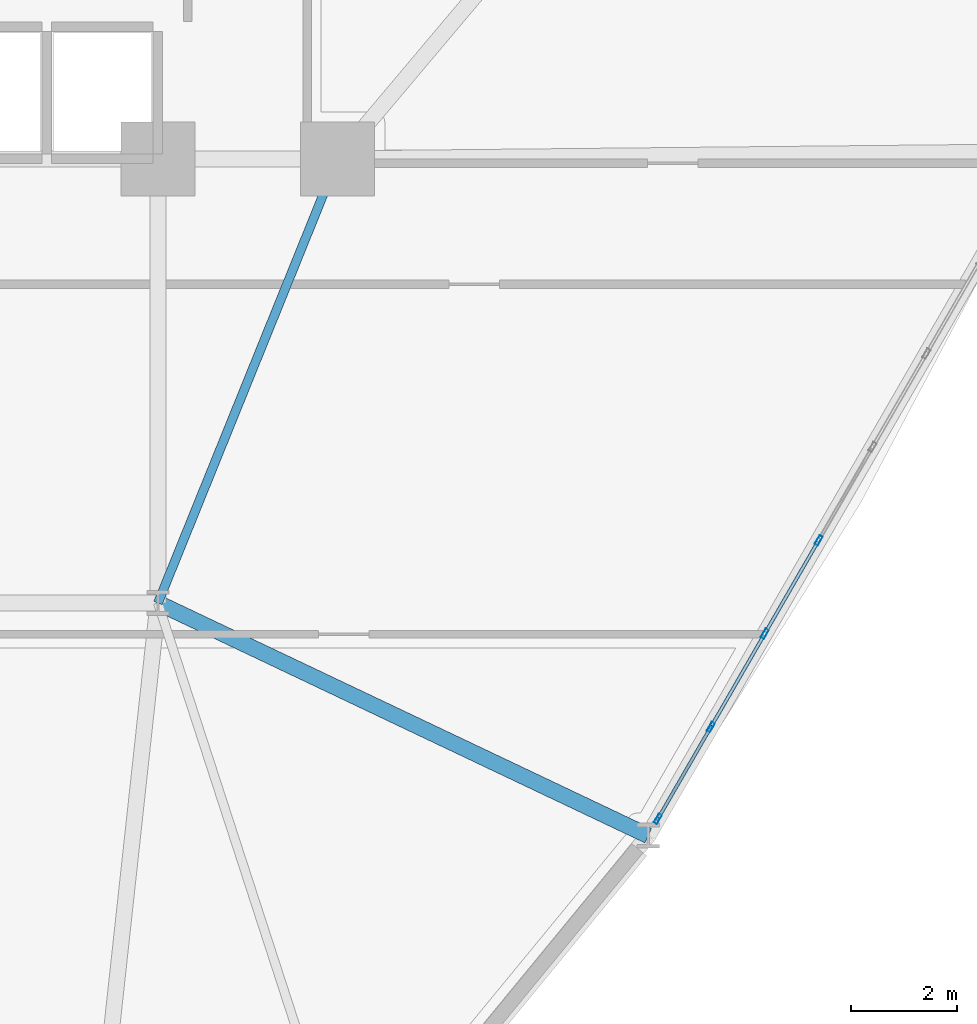
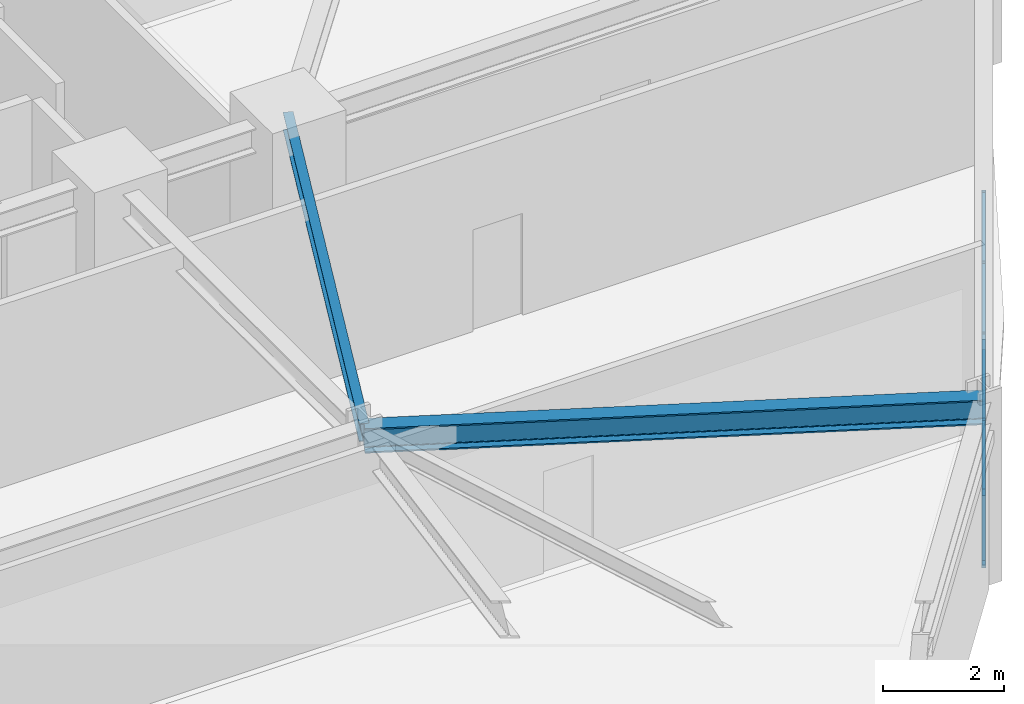
# One storey, part 6 of 20: 11 members, 2 beams, 1 element without a shape of its own.
"""IFC4 building model written with IfcOpenShell, lengths in metres."""

import ifcopenshell
import ifcopenshell.guid

model = None  # the IFC model being written
_history = None  # IfcOwnerHistory: only IFC2X3 demands one
_inside = {}  # id of a spatial element -> (the spatial element, [elements in it])
_under = {}  # id of a project, library or spatial element -> (it, [spatial elements below it])
_declared = {}  # id of a project -> (the project, [libraries it declares])
_typed = {}  # id of a type object -> (the type object, [elements of that type])
_made_of = {}  # id of a material, layer set ... -> (it, [elements and type objects made of it])


def new_model(schema):
    """Start an empty IFC model of exactly this schema.

    Asked for "IFC4X3", IfcOpenShell would pick the latest addendum, in which some entities
    have other attributes; the version numbers below select the first issue.
    IFC2X3 requires an IfcOwnerHistory on every rooted entity: one is made here for all.
    """
    global model, _history
    if schema == "IFC4X3":
        model = ifcopenshell.file(schema_version=(4, 3, 0, 0))
    else:
        model = ifcopenshell.file(schema=schema)
    _inside.clear()
    _under.clear()
    _declared.clear()
    _typed.clear()
    _made_of.clear()
    _history = None
    if model.schema == "IFC2X3":
        org = make("IfcOrganization", Name="unknown")
        user = make(
            "IfcPersonAndOrganization",
            ThePerson=make("IfcPerson", FamilyName="unknown"),
            TheOrganization=org,
        )
        app = make(
            "IfcApplication",
            ApplicationDeveloper=org,
            Version="unknown",
            ApplicationFullName="unknown",
            ApplicationIdentifier="unknown",
        )
        _history = make(
            "IfcOwnerHistory",
            OwningUser=user,
            OwningApplication=app,
            ChangeAction="ADDED",
            CreationDate=0,
        )
    return model


def make(cls, **values):
    """One entity of the class cls with the attributes given. An attribute that is None is left unset."""
    return model.create_entity(
        cls, **{name: value for name, value in values.items() if value is not None}
    )


def rooted(cls, **values):
    """An entity with a GlobalId (a new one), such as an element, a storey or a relation."""
    return make(cls, GlobalId=ifcopenshell.guid.new(), OwnerHistory=_history, **values)


def si_unit(unit_type, name, prefix=None):
    """IfcSIUnit, for example si_unit("LENGTHUNIT", "METRE", prefix="MILLI")."""
    return make("IfcSIUnit", UnitType=unit_type, Prefix=prefix, Name=name)


def derived_unit(unit_type, elements):
    """IfcDerivedUnit: a product of units, each with its exponent."""
    return make(
        "IfcDerivedUnit",
        Elements=[
            make("IfcDerivedUnitElement", Unit=unit, Exponent=power)
            for unit, power in elements
        ],
        UnitType=unit_type,
    )


def assignment(units):
    """IfcUnitAssignment: the units of a project."""
    return None if units is None else make("IfcUnitAssignment", Units=units)


def point(xyz):
    """IfcCartesianPoint."""
    return None if xyz is None else make("IfcCartesianPoint", Coordinates=xyz)


def direction(xyz):
    """IfcDirection."""
    return None if xyz is None else make("IfcDirection", DirectionRatios=xyz)


def frame(location, z_axis=None, x_axis=None):
    """IfcAxis2Placement3D, a coordinate frame: its origin and axes. An axis left out is left unset."""
    return make(
        "IfcAxis2Placement3D",
        Location=point(location),
        Axis=direction(z_axis),
        RefDirection=direction(x_axis),
    )


def frame_2d(location, x_axis=None):
    """IfcAxis2Placement2D, a coordinate frame in the plane: its origin and x axis."""
    return make(
        "IfcAxis2Placement2D", Location=point(location), RefDirection=direction(x_axis)
    )


def origin():
    """The frame at (0, 0, 0) with its axes left unset."""
    return frame((0.0, 0.0, 0.0))


def origin_2d():
    """The frame at (0, 0) in the plane with its x axis left unset."""
    return frame_2d((0.0, 0.0))


def place(relative_to, where):
    """IfcLocalPlacement: puts the frame where relative to a parent placement (None: the world)."""
    return make(
        "IfcLocalPlacement", PlacementRelTo=relative_to, RelativePlacement=where
    )


def context(
    kind, dimensions, precision=None, world=None, true_north=None, identifier=None
):
    """IfcGeometricRepresentationContext, for example the 3D "Model" context."""
    return make(
        "IfcGeometricRepresentationContext",
        ContextIdentifier=identifier,
        ContextType=kind,
        CoordinateSpaceDimension=dimensions,
        Precision=precision,
        WorldCoordinateSystem=world,
        TrueNorth=true_north,
    )


def subcontext(parent, identifier, kind, view, scale=None):
    """IfcGeometricRepresentationSubContext, for example "Body" below "Model"."""
    return make(
        "IfcGeometricRepresentationSubContext",
        ContextIdentifier=identifier,
        ContextType=kind,
        ParentContext=parent,
        TargetScale=scale,
        TargetView=view,
    )


def project(units=None, contexts=None):
    """IfcProject with its units and contexts."""
    return rooted(
        "IfcProject",
        Name="project",
        RepresentationContexts=contexts,
        UnitsInContext=assignment(units),
    )


def spatial(cls, under=None, at=None, **own):
    """A site, building, storey or space (cls), placed at a placement, below another one or the project."""
    s = rooted(cls, ObjectPlacement=at, **own)
    if under is not None:
        _under.setdefault(under.id(), (under, []))[1].append(s)
    return s


def profile(cls, at=None, kind="AREA", **sizes):
    """A parametric profile (cls). Its sizes go by their IFC names, for example OverallWidth=200.0."""
    return make(cls, ProfileType=kind, Position=at, **sizes)


def hollow_rectangle(**sizes):
    """IfcRectangleHollowProfileDef."""
    return profile("IfcRectangleHollowProfileDef", **sizes)


def i_section(**sizes):
    """IfcIShapeProfileDef."""
    return profile("IfcIShapeProfileDef", **sizes)


def extrude(swept, where, along, depth):
    """IfcExtrudedAreaSolid: the profile swept, set in the frame where, extruded along a direction by depth."""
    return make(
        "IfcExtrudedAreaSolid",
        SweptArea=swept,
        Position=where,
        ExtrudedDirection=direction(along),
        Depth=depth,
    )


def shape(context_of_items, identifier, shape_type, items):
    """IfcShapeRepresentation: the items that make up one representation, for example the "Body"."""
    return make(
        "IfcShapeRepresentation",
        ContextOfItems=context_of_items,
        RepresentationIdentifier=identifier,
        RepresentationType=shape_type,
        Items=items,
    )


def source(mapping_origin, context_of_items, identifier, shape_type, items):
    """IfcRepresentationMap: a shape defined once, which mapped items show again and again."""
    return make(
        "IfcRepresentationMap",
        MappingOrigin=mapping_origin,
        MappedRepresentation=shape(context_of_items, identifier, shape_type, items),
    )


def transform(
    local_origin,
    x_axis=None,
    y_axis=None,
    z_axis=None,
    scale=None,
    scale2=None,
    scale3=None,
    uniform=True,
):
    """IfcCartesianTransformationOperator3D, or its non-uniform kind. x_axis, y_axis, z_axis: its Axis1, 2, 3."""
    if uniform:
        return make(
            "IfcCartesianTransformationOperator3D",
            Axis1=direction(x_axis),
            Axis2=direction(y_axis),
            LocalOrigin=point(local_origin),
            Scale=scale,
            Axis3=direction(z_axis),
        )
    return make(
        "IfcCartesianTransformationOperator3DnonUniform",
        Axis1=direction(x_axis),
        Axis2=direction(y_axis),
        LocalOrigin=point(local_origin),
        Scale=scale,
        Axis3=direction(z_axis),
        Scale2=scale2,
        Scale3=scale3,
    )


def mapped(mapping_source, mapping_target):
    """IfcMappedItem: shows the shape of a source again, moved by a transform."""
    return make(
        "IfcMappedItem", MappingSource=mapping_source, MappingTarget=mapping_target
    )


def material(Name=None, Category=None):
    """IfcMaterial."""
    return make("IfcMaterial", Name=Name, Category=Category)


def layer(
    of_material, thickness, ventilated=None, Name=None, Category=None, Priority=None
):
    """IfcMaterialLayer: one layer of a wall or slab, of a material (None: an air gap)."""
    return make(
        "IfcMaterialLayer",
        Material=of_material,
        LayerThickness=thickness,
        IsVentilated=ventilated,
        Name=Name,
        Category=Category,
        Priority=Priority,
    )


def layer_set(layers, Name=None):
    """IfcMaterialLayerSet."""
    return make("IfcMaterialLayerSet", MaterialLayers=layers, LayerSetName=Name)


def material_profile(
    of_material, cross_section, Name=None, Category=None, Priority=None
):
    """IfcMaterialProfile: a cross section and its material."""
    return make(
        "IfcMaterialProfile",
        Name=Name,
        Material=of_material,
        Profile=cross_section,
        Priority=Priority,
        Category=Category,
    )


def profile_set(profiles, Name=None, composite=None):
    """IfcMaterialProfileSet."""
    return make(
        "IfcMaterialProfileSet",
        Name=Name,
        MaterialProfiles=profiles,
        CompositeProfile=composite,
    )


def made_of(thing, what):
    """Note that an element or type object is made of a material, layer set ...; save() writes the relation."""
    if what is not None:
        _made_of.setdefault(what.id(), (what, []))[1].append(thing)
    return thing


def type_object(cls, material=None, **own):
    """A type object (cls), such as IfcWallType, which elements share."""
    return made_of(rooted(cls, **own), material)


def element(
    cls,
    number,
    at=None,
    inside=None,
    cuts=None,
    type_object=None,
    material=None,
    context=None,
    identifier="Body",
    shape_type=None,
    held_by="IfcProductDefinitionShape",
    body=None,
    shapes=None,
    **own,
):
    """One element of the class cls, such as IfcWall. Its Tag is "e" and its number.

    at: its placement. inside: the storey or other place that contains it. cuts: it is an
    opening in that element (IfcRelVoidsElement). A single representation is given by context,
    identifier, shape_type and body (its items); several are given by shapes. held_by: the class
    of the entity that holds the representations. save() writes the other relations.
    """
    e = rooted(cls, Tag="e%d" % number, ObjectPlacement=at, **own)
    if body is not None:
        shapes = [shape(context, identifier, shape_type, body)]
    if shapes is not None:
        e.Representation = make(held_by, Representations=shapes)
    if inside is not None:
        _inside.setdefault(inside.id(), (inside, []))[1].append(e)
    if cuts is not None:
        rooted(
            "IfcRelVoidsElement", RelatingBuildingElement=cuts, RelatedOpeningElement=e
        )
    if type_object is not None:
        _typed.setdefault(type_object.id(), (type_object, []))[1].append(e)
    return made_of(e, material)


def aggregate(whole, parts):
    """IfcRelAggregates: a whole, such as a stair, and the parts it consists of."""
    return rooted("IfcRelAggregates", RelatingObject=whole, RelatedObjects=parts)


def save(model, path):
    """Write the relations noted so far, then the file.

    IfcRelAggregates (storeys below a building ...), IfcRelContainedInSpatialStructure (elements
    in a storey), IfcRelDefinesByType, IfcRelAssociatesMaterial and IfcRelDeclares: one each for
    every whole, place, type object, material and project.
    """
    for whole, parts in _under.values():
        aggregate(whole, parts)
    for where, things in _inside.values():
        rooted(
            "IfcRelContainedInSpatialStructure",
            RelatedElements=things,
            RelatingStructure=where,
        )
    for kind, things in _typed.values():
        rooted("IfcRelDefinesByType", RelatedObjects=things, RelatingType=kind)
    for what, things in _made_of.values():
        rooted("IfcRelAssociatesMaterial", RelatedObjects=things, RelatingMaterial=what)
    for by, libraries in _declared.values():
        rooted("IfcRelDeclares", RelatingContext=by, RelatedDefinitions=libraries)
    model.write(path)


model = new_model("IFC4")

# Units and contexts
model_context = context("Model", 3, precision=1e-05, world=origin(), true_north=direction((0.0, 1.0)))
body_context = subcontext(model_context, "Body", "Model", "MODEL_VIEW")
ifc_project = project(units=[si_unit("LENGTHUNIT", "METRE"), si_unit("AREAUNIT", "SQUARE_METRE"), si_unit("VOLUMEUNIT", "CUBIC_METRE"), si_unit("PLANEANGLEUNIT", "RADIAN"), si_unit("MASSUNIT", "GRAM", prefix="KILO"), derived_unit("THERMALTRANSMITTANCEUNIT", [(si_unit("POWERUNIT", "WATT"), 1), (si_unit("LENGTHUNIT", "METRE"), -2), (si_unit("THERMODYNAMICTEMPERATUREUNIT", "KELVIN"), -1)])], contexts=[model_context])

# Site, building, storey
site_placement = place(None, origin())
site = spatial("IfcSite", under=ifc_project, at=site_placement, CompositionType="ELEMENT")
building_placement = place(site_placement, origin())
building = spatial("IfcBuilding", under=site, at=building_placement, Name="Korsvarv Bourse and Concert Hall", CompositionType="ELEMENT")
storey_placement = place(building_placement, frame((0.0, 0.0, 75.60009765625)))
storey = spatial("IfcBuildingStorey", under=building, at=storey_placement, Name="L18", CompositionType="ELEMENT", Elevation=75.60009765625)

# Beams
ifc_material_1 = material(Name="Steel S355", Category="steel")
ifc_material_profile_1 = material_profile(ifc_material_1, i_section(OverallWidth=0.169921875, OverallDepth=0.360107421875, WebThickness=0.008056640625, FlangeThickness=0.0126953125, FilletRadius=0.01806640625, at=origin_2d()), Name="IPE 360")
ifc_profile_set_1 = profile_set([ifc_material_profile_1], Name="Steel S355")
beam_type_1 = type_object("IfcBeamType", Name="BM-IPE360", PredefinedType="JOIST", material=ifc_profile_set_1)
shared_shape_1 = source(origin(), body_context, "Body", "SweptSolid", [
    extrude(i_section(OverallWidth=0.169921875, OverallDepth=0.360107421875, WebThickness=0.008056640625, FlangeThickness=0.0126953125, FilletRadius=0.01806640625, at=origin_2d()), origin(), (0.0, 0.0, 1.0), 9.06201171875),
])
beam_1_placement = place(storey_placement, frame((47.800048828125, 32.39990234375, 3.5), z_axis=(-0.375210394783, -0.926939674222, 0.0), x_axis=(0.926939674222, -0.375210394783, 0.0)))
element("IfcBeam", 1, at=beam_1_placement, inside=storey, type_object=beam_type_1, Name="L18 beam J-06", PredefinedType="JOIST", context=body_context, shape_type="MappedRepresentation", body=[
    mapped(shared_shape_1, transform((0.0, 0.0, 0.0), scale=1.0)),
])
ifc_material_profile_2 = material_profile(ifc_material_1, i_section(OverallWidth=0.300048828125, OverallDepth=0.5, WebThickness=0.014404296875, FlangeThickness=0.028076171875, FilletRadius=0.02392578125, at=origin_2d()), Name="HEB 500")
ifc_profile_set_2 = profile_set([ifc_material_profile_2], Name="Steel S355")
beam_type_2 = type_object("IfcBeamType", Name="BM-HEB500", PredefinedType="BEAM", material=ifc_profile_set_2)
shared_shape_2 = source(origin(), body_context, "Body", "SweptSolid", [
    extrude(i_section(OverallWidth=0.300048828125, OverallDepth=0.5, WebThickness=0.014404296875, FlangeThickness=0.028076171875, FilletRadius=0.02392578125, at=origin_2d()), origin(), (0.0, 0.0, 1.0), 10.263671875),
])
beam_2_placement = place(storey_placement, frame((53.671630859375, 19.59814453125, 3.429931640625), z_axis=(-0.903361148247, 0.428880677855, 0.0), x_axis=(-0.428880677855, -0.903361148247, 0.0)))
element("IfcBeam", 2, at=beam_2_placement, inside=storey, type_object=beam_type_2, Name="L18 beam B-07", PredefinedType="BEAM", context=body_context, shape_type="MappedRepresentation", body=[
    mapped(shared_shape_2, transform((0.0, 0.0, 0.0), scale=1.0)),
])

# Curtain wall, members
ifc_material_2 = material(Name="Anodised aluminium and triple low-E glazing", Category="glass")
ifc_layer = layer(ifc_material_2, 0.219970703125)
ifc_layer_set = layer_set([ifc_layer], Name="Anodised aluminium and triple low-E glazing")
curtain_wall_type = type_object("IfcCurtainWallType", Name="CW-SYS-1", PredefinedType="NOTDEFINED", material=ifc_layer_set)
curtain_wall_placement = place(storey_placement, origin())
curtain_wall = element("IfcCurtainWall", 3, at=curtain_wall_placement, inside=storey, type_object=curtain_wall_type, Name="L18 CW1 curtain wall CW-L18-F11", PredefinedType="NOTDEFINED")
ifc_material_3 = material(Name="Extruded aluminium EN AW-6063 T66", Category="aluminium")
ifc_material_profile_3 = material_profile(ifc_material_3, hollow_rectangle(XDim=0.070068359375, YDim=0.18994140625, WallThickness=0.0048828125, at=origin_2d()), Name="ALU-M 70x190")
ifc_profile_set_3 = profile_set([ifc_material_profile_3], Name="Extruded aluminium EN AW-6063 T66")
member_type_1 = type_object("IfcMemberType", Name="CWM-190", PredefinedType="MULLION", material=ifc_profile_set_3)
shared_shape_3 = source(origin(), body_context, "Body", "SweptSolid", [
    extrude(hollow_rectangle(XDim=0.070068359375, YDim=0.18994140625, WallThickness=0.0048828125, at=origin_2d()), origin(), (0.0, 0.0, 1.0), 3.22998046875),
])
member_1_placement = place(storey_placement, frame((53.854736328125, 19.91552734375, 0.0), z_axis=(0.0, 0.0, 1.0), x_axis=(-0.866024243871, 0.500002009023, 0.0)))
member_1 = element("IfcMember", 4, at=member_1_placement, type_object=member_type_1, Name="CW1 mullion 1", PredefinedType="MULLION", context=body_context, shape_type="MappedRepresentation", body=[
    mapped(shared_shape_3, transform((0.0, 0.0, 0.0), scale=1.0)),
])
member_2_placement = place(storey_placement, frame((54.85693359375, 21.651123046875, 0.0), z_axis=(0.0, 0.0, 1.0), x_axis=(-0.866024243871, 0.500002009023, 0.0)))
member_2 = element("IfcMember", 5, at=member_2_placement, type_object=member_type_1, Name="CW1 mullion 2", PredefinedType="MULLION", context=body_context, shape_type="MappedRepresentation", body=[
    mapped(shared_shape_3, transform((0.0, 0.0, 0.0), scale=1.0)),
])
member_3_placement = place(storey_placement, frame((55.87646484375, 23.417236328125, 0.0), z_axis=(0.0, 0.0, 1.0), x_axis=(-0.866024243871, 0.500002009023, 0.0)))
member_3 = element("IfcMember", 6, at=member_3_placement, type_object=member_type_1, Name="CW1 mullion 3", PredefinedType="MULLION", context=body_context, shape_type="MappedRepresentation", body=[
    mapped(shared_shape_3, transform((0.0, 0.0, 0.0), scale=1.0)),
])
member_4_placement = place(storey_placement, frame((56.896240234375, 25.18310546875, 0.0), z_axis=(0.0, 0.0, 1.0), x_axis=(-0.866024243871, 0.500002009023, 0.0)))
member_4 = element("IfcMember", 7, at=member_4_placement, type_object=member_type_1, Name="CW1 mullion 4", PredefinedType="MULLION", context=body_context, shape_type="MappedRepresentation", body=[
    mapped(shared_shape_3, transform((0.0, 0.0, 0.0), scale=1.0)),
])
ifc_material_profile_4 = material_profile(ifc_material_3, hollow_rectangle(XDim=0.06494140625, YDim=0.139892578125, WallThickness=0.00390625, at=origin_2d()), Name="ALU-T 65x140")
ifc_profile_set_4 = profile_set([ifc_material_profile_4], Name="Extruded aluminium EN AW-6063 T66")
member_type_2 = type_object("IfcMemberType", Name="CWT-140", PredefinedType="USERDEFINED", material=ifc_profile_set_4)
shared_shape_4 = source(origin(), body_context, "Body", "SweptSolid", [
    extrude(hollow_rectangle(XDim=0.06494140625, YDim=0.139892578125, WallThickness=0.00390625, at=origin_2d()), origin(), (0.0, 0.0, 1.0), 1.93408203125),
])
member_5_placement = place(storey_placement, frame((53.872314453125, 19.94580078125, 0.032470703125), z_axis=(0.499981047344, 0.866036345829, 0.0), x_axis=(-0.866036345829, 0.499981047344, 0.0)))
member_5 = element("IfcMember", 8, at=member_5_placement, type_object=member_type_2, Name="CW1 transom 1.1", ObjectType="TRANSOM", PredefinedType="USERDEFINED", context=body_context, shape_type="MappedRepresentation", body=[
    mapped(shared_shape_4, transform((0.0, 0.0, 0.0), scale=1.0)),
])
member_6_placement = place(storey_placement, frame((53.872314453125, 19.94580078125, 3.197509765625), z_axis=(0.499981047344, 0.866036345829, 0.0), x_axis=(-0.866036345829, 0.499981047344, 0.0)))
member_6 = element("IfcMember", 9, at=member_6_placement, type_object=member_type_2, Name="CW1 transom 1.2", ObjectType="TRANSOM", PredefinedType="USERDEFINED", context=body_context, shape_type="MappedRepresentation", body=[
    mapped(shared_shape_4, transform((0.0, 0.0, 0.0), scale=1.0)),
])
ifc_material_profile_5 = material_profile(ifc_material_3, hollow_rectangle(XDim=0.06494140625, YDim=0.1650390625, WallThickness=0.0048828125, at=origin_2d()), Name="ALU-M 65x165")
ifc_profile_set_5 = profile_set([ifc_material_profile_5], Name="Extruded aluminium EN AW-6063 T66")
member_type_3 = type_object("IfcMemberType", Name="CWM-165", PredefinedType="MULLION", material=ifc_profile_set_5)
shared_shape_5 = source(origin(), body_context, "Body", "SweptSolid", [
    extrude(hollow_rectangle(XDim=0.06494140625, YDim=0.1650390625, WallThickness=0.0048828125, at=origin_2d()), origin(), (0.0, 0.0, 1.0), 3.65380859375),
])
member_7_placement = place(storey_placement, frame((53.872314453125, 19.94580078125, 0.06494140625), z_axis=(0.264669239275, 0.458443739123, 0.848398215369), x_axis=(-0.866036345829, 0.499981047344, 0.0)))
member_7 = element("IfcMember", 10, at=member_7_placement, type_object=member_type_3, Name="CW1 diagonal mullion 1", PredefinedType="MULLION", context=body_context, shape_type="MappedRepresentation", body=[
    mapped(shared_shape_5, transform((0.0, 0.0, 0.0), scale=1.0)),
])
shared_shape_6 = source(origin(), body_context, "Body", "SweptSolid", [
    extrude(hollow_rectangle(XDim=0.06494140625, YDim=0.139892578125, WallThickness=0.00390625, at=origin_2d()), origin(), (0.0, 0.0, 1.0), 1.96923828125),
])
member_8_placement = place(storey_placement, frame((54.87451171875, 21.681396484375, 0.032470703125), z_axis=(0.500019375444, 0.866014217078, 0.0), x_axis=(-0.866014217078, 0.500019375444, 0.0)))
member_8 = element("IfcMember", 11, at=member_8_placement, type_object=member_type_2, Name="CW1 transom 2.1", ObjectType="TRANSOM", PredefinedType="USERDEFINED", context=body_context, shape_type="MappedRepresentation", body=[
    mapped(shared_shape_6, transform((0.0, 0.0, 0.0), scale=1.0)),
])
member_9_placement = place(storey_placement, frame((54.87451171875, 21.681396484375, 3.197509765625), z_axis=(0.500019375444, 0.866014217078, 0.0), x_axis=(-0.866014217078, 0.500019375444, 0.0)))
member_9 = element("IfcMember", 12, at=member_9_placement, type_object=member_type_2, Name="CW1 transom 2.2", ObjectType="TRANSOM", PredefinedType="USERDEFINED", context=body_context, shape_type="MappedRepresentation", body=[
    mapped(shared_shape_6, transform((0.0, 0.0, 0.0), scale=1.0)),
])
member_10_placement = place(storey_placement, frame((55.89404296875, 23.447509765625, 0.032470703125), z_axis=(0.500019375444, 0.866014217078, 0.0), x_axis=(-0.866014217078, 0.500019375444, 0.0)))
member_10 = element("IfcMember", 13, at=member_10_placement, type_object=member_type_2, Name="CW1 transom 3.1", ObjectType="TRANSOM", PredefinedType="USERDEFINED", context=body_context, shape_type="MappedRepresentation", body=[
    mapped(shared_shape_6, transform((0.0, 0.0, 0.0), scale=1.0)),
])
member_11_placement = place(storey_placement, frame((55.89404296875, 23.447509765625, 3.197509765625), z_axis=(0.500019375444, 0.866014217078, 0.0), x_axis=(-0.866014217078, 0.500019375444, 0.0)))
member_11 = element("IfcMember", 14, at=member_11_placement, type_object=member_type_2, Name="CW1 transom 3.2", ObjectType="TRANSOM", PredefinedType="USERDEFINED", context=body_context, shape_type="MappedRepresentation", body=[
    mapped(shared_shape_6, transform((0.0, 0.0, 0.0), scale=1.0)),
])
aggregate(curtain_wall, [member_1, member_2, member_3, member_4, member_5, member_6, member_7, member_8, member_9, member_10, member_11])

save(model, "model.ifc")
